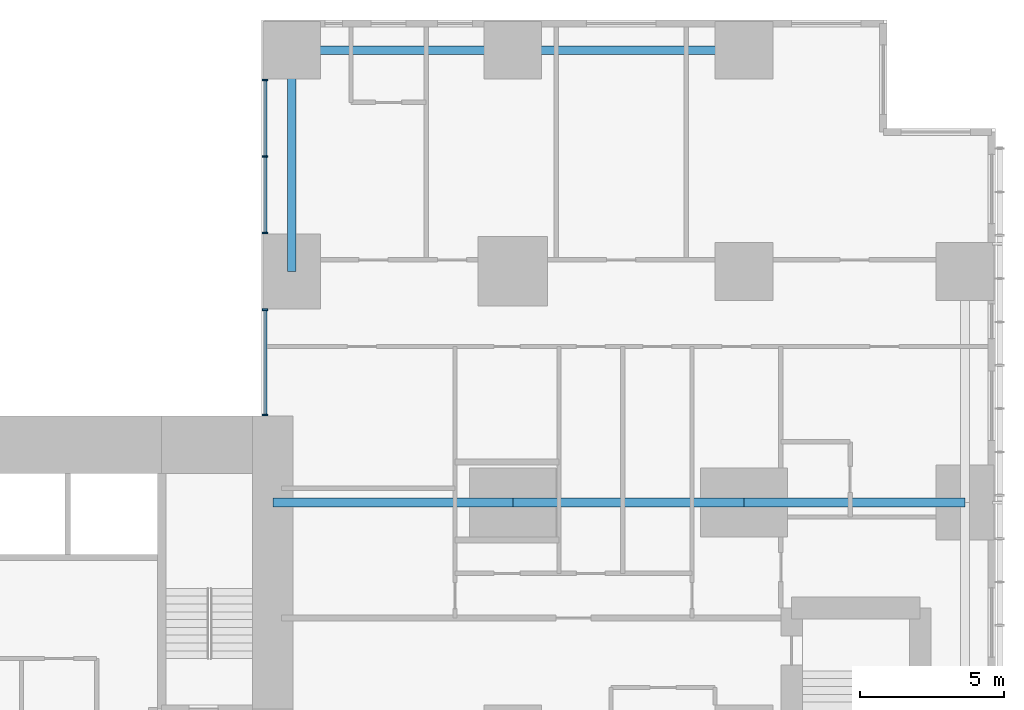
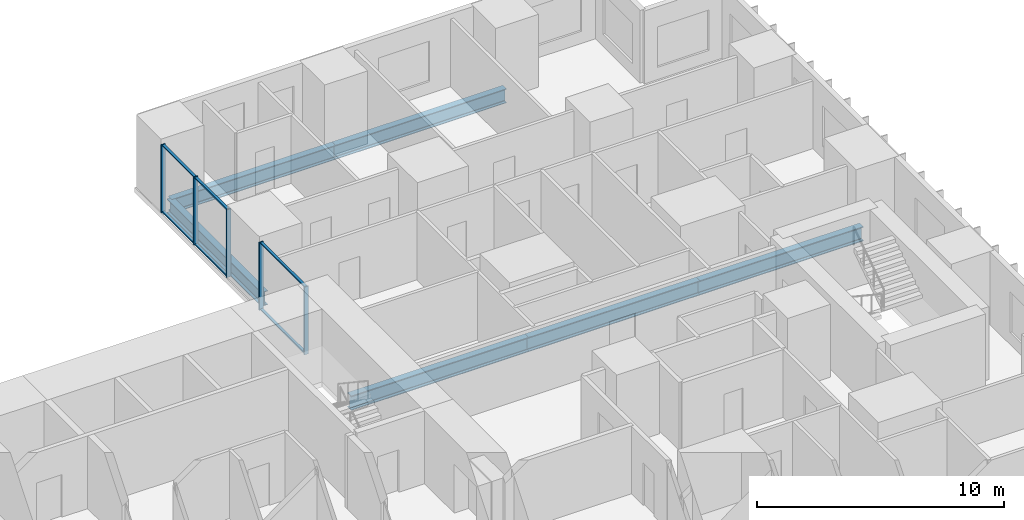
# One storey, part 5 of 20: 11 members, 6 beams, 2 elements without a shape of their own.
"""IFC4 building model written with IfcOpenShell, lengths in metres."""

from ifc_helpers import new_model, si_unit, direction, frame, origin, origin_2d, place, context, subcontext, project, spatial, rectangle, i_section, extrude, material, layer, layer_set, material_profile, profile_set, type_object, element, aggregate, save


model = new_model("IFC4")

# Units and contexts
model_context = context("Model", 3, precision=1e-05, world=origin(), true_north=direction((0.0, 1.0)))
body_context = subcontext(model_context, "Body", "Model", "MODEL_VIEW")
ifc_project = project(units=[si_unit("LENGTHUNIT", "METRE"), si_unit("AREAUNIT", "SQUARE_METRE"), si_unit("VOLUMEUNIT", "CUBIC_METRE"), si_unit("PLANEANGLEUNIT", "RADIAN"), si_unit("MASSUNIT", "GRAM", prefix="KILO")], contexts=[model_context])

# Site, building, storey
site_placement = place(None, origin())
site = spatial("IfcSite", under=ifc_project, at=site_placement, CompositionType="ELEMENT")
building_placement = place(site_placement, origin())
building = spatial("IfcBuilding", under=site, at=building_placement, Name="Cleftline Residences", CompositionType="ELEMENT")
storey_placement = place(building_placement, frame((0.0, 0.0, 72.800048828125)))
storey = spatial("IfcBuildingStorey", under=building, at=storey_placement, Name="L18", CompositionType="ELEMENT", Elevation=72.800048828125)

# Beams
ifc_material_1 = material(Name="Steel S355", Category="steel")
ifc_material_profile_1 = material_profile(ifc_material_1, i_section(OverallWidth=0.300048828125, OverallDepth=0.699951171875, WebThickness=0.01708984375, FlangeThickness=0.031982421875, FilletRadius=0.027099609375, at=origin_2d()))
ifc_profile_set_1 = profile_set([ifc_material_profile_1], Name="Steel S355")
beam_type_1 = type_object("IfcBeamType", Name="BEAM HEB 700", PredefinedType="BEAM", material=ifc_profile_set_1)
beam_1_placement = place(storey_placement, frame((58.0, 47.64990234375, -0.60009765625), z_axis=(-1.0, 0.0, 0.0), x_axis=(0.0, -1.0, 0.0)))
element("IfcBeam", 1, at=beam_1_placement, inside=storey, type_object=beam_type_1, Name="Edge beam", PredefinedType="BEAM", context=body_context, shape_type="SweptSolid", body=[
    extrude(i_section(OverallWidth=0.300048828125, OverallDepth=0.699951171875, WebThickness=0.01708984375, FlangeThickness=0.031982421875, FilletRadius=0.027099609375, at=origin_2d()), origin(), (0.0, 0.0, 1.0), 8.0),
])
for number, where, z_axis, x_axis, name in (
    (2, (50.0, 47.64990234375, -0.60009765625), (-1.0, 0.0, 0.0), (0.0, -1.0, 0.0), "Edge beam"),
    (3, (42.35009765625, 47.64990234375, -0.60009765625), (0.0, -1.0, 0.0), (1.0, 0.0, 0.0), "Edge beam"),
):
    element("IfcBeam", number, at=place(storey_placement, frame(where, z_axis=z_axis, x_axis=x_axis)), inside=storey, type_object=beam_type_1, Name=name, PredefinedType="BEAM", context=body_context, shape_type="SweptSolid", body=[
        extrude(i_section(OverallWidth=0.300048828125, OverallDepth=0.699951171875, WebThickness=0.01708984375, FlangeThickness=0.031982421875, FilletRadius=0.027099609375, at=origin_2d()), origin(), (0.0, 0.0, 1.0), 7.64990234375),
    ])
ifc_material_2 = material(Name="Steel S355", Category="steel")
ifc_material_profile_2 = material_profile(ifc_material_2, i_section(OverallWidth=0.303955078125, OverallDepth=0.716064453125, WebThickness=0.02099609375, FlangeThickness=0.0400390625, FilletRadius=0.027099609375, at=origin_2d()))
ifc_profile_set_2 = profile_set([ifc_material_profile_2], Name="Steel S355")
beam_type_2 = type_object("IfcBeamType", Name="BEAM HEM 700", PredefinedType="BEAM", material=ifc_profile_set_2)
beam_2_placement = place(storey_placement, frame((65.64990234375, 32.0, -0.608154296875), z_axis=(-1.0, 0.0, 0.0), x_axis=(0.0, -1.0, 0.0)))
element("IfcBeam", 4, at=beam_2_placement, inside=storey, type_object=beam_type_2, Name="Band beam", PredefinedType="BEAM", context=body_context, shape_type="SweptSolid", body=[
    extrude(i_section(OverallWidth=0.303955078125, OverallDepth=0.716064453125, WebThickness=0.02099609375, FlangeThickness=0.0400390625, FilletRadius=0.027099609375, at=origin_2d()), origin(), (0.0, 0.0, 1.0), 7.64990234375),
])
beam_3_placement = place(storey_placement, frame((58.0, 32.0, -0.608154296875), z_axis=(-1.0, 0.0, 0.0), x_axis=(0.0, -1.0, 0.0)))
element("IfcBeam", 5, at=beam_3_placement, inside=storey, type_object=beam_type_2, Name="Band beam", PredefinedType="BEAM", context=body_context, shape_type="SweptSolid", body=[
    extrude(i_section(OverallWidth=0.303955078125, OverallDepth=0.716064453125, WebThickness=0.02099609375, FlangeThickness=0.0400390625, FilletRadius=0.027099609375, at=origin_2d()), origin(), (0.0, 0.0, 1.0), 8.0),
])
beam_4_placement = place(storey_placement, frame((50.0, 32.0, -0.608154296875), z_axis=(-1.0, 0.0, 0.0), x_axis=(0.0, -1.0, 0.0)))
element("IfcBeam", 6, at=beam_4_placement, inside=storey, type_object=beam_type_2, Name="Band beam", PredefinedType="BEAM", context=body_context, shape_type="SweptSolid", body=[
    extrude(i_section(OverallWidth=0.303955078125, OverallDepth=0.716064453125, WebThickness=0.02099609375, FlangeThickness=0.0400390625, FilletRadius=0.027099609375, at=origin_2d()), origin(), (0.0, 0.0, 1.0), 8.300048828125),
])

# Curtain wall, members
ifc_material_3 = material(Name="Aluminium framed curtain wall", Category="aluminium")
ifc_layer = layer(ifc_material_3, 0.199951171875)
ifc_layer_set = layer_set([ifc_layer], Name="CW1 CLEFT GLAZING")
curtain_wall_type = type_object("IfcCurtainWallType", Name="CW1 CLEFT GLAZING", PredefinedType="NOTDEFINED", material=ifc_layer_set)
curtain_wall_1_placement = place(storey_placement, origin())
curtain_wall_1 = element("IfcCurtainWall", 7, at=curtain_wall_1_placement, inside=storey, type_object=curtain_wall_type, Name="Curtain wall CW1", PredefinedType="NOTDEFINED")
ifc_material_4 = material(Name="Aluminium mullion", Category="aluminium")
ifc_material_profile_3 = material_profile(ifc_material_4, rectangle(XDim=0.199951171875, YDim=0.06005859375, at=origin_2d()))
ifc_profile_set_3 = profile_set([ifc_material_profile_3], Name="Aluminium mullion")
member_type_1 = type_object("IfcMemberType", Name="CW1 MULLION", PredefinedType="MULLION", material=ifc_profile_set_3)
member_1_placement = place(storey_placement, frame((41.425048828125, 46.6201171875, 0.0), z_axis=(0.0, 0.0, 1.0), x_axis=(1.0, 0.0, 0.0)))
member_1 = element("IfcMember", 8, at=member_1_placement, type_object=member_type_1, Name="CW1 mullion 1", PredefinedType="MULLION", context=body_context, shape_type="SweptSolid", body=[
    extrude(rectangle(XDim=0.199951171875, YDim=0.06005859375, at=origin_2d()), origin(), (0.0, 0.0, 1.0), 3.349853515625),
])
member_2_placement = place(storey_placement, frame((41.425048828125, 43.97509765625, 0.0), z_axis=(0.0, 0.0, 1.0), x_axis=(1.0, 0.0, 0.0)))
member_2 = element("IfcMember", 9, at=member_2_placement, type_object=member_type_1, Name="CW1 mullion 2", PredefinedType="MULLION", context=body_context, shape_type="SweptSolid", body=[
    extrude(rectangle(XDim=0.199951171875, YDim=0.06005859375, at=origin_2d()), origin(), (0.0, 0.0, 1.0), 3.349853515625),
])
member_3_placement = place(storey_placement, frame((41.425048828125, 41.330078125, 0.0), z_axis=(0.0, 0.0, 1.0), x_axis=(1.0, 0.0, 0.0)))
member_3 = element("IfcMember", 10, at=member_3_placement, type_object=member_type_1, Name="CW1 mullion 3", PredefinedType="MULLION", context=body_context, shape_type="SweptSolid", body=[
    extrude(rectangle(XDim=0.199951171875, YDim=0.06005859375, at=origin_2d()), origin(), (0.0, 0.0, 1.0), 3.349853515625),
])

curtain_wall_2_placement = place(storey_placement, origin())
curtain_wall_2 = element("IfcCurtainWall", 11, at=curtain_wall_2_placement, inside=storey, type_object=curtain_wall_type, Name="Curtain wall CW1", PredefinedType="NOTDEFINED")
member_4_placement = place(storey_placement, frame((41.425048828125, 38.669921875, 0.0), z_axis=(0.0, 0.0, 1.0), x_axis=(1.0, 0.0, 0.0)))
member_4 = element("IfcMember", 12, at=member_4_placement, type_object=member_type_1, Name="CW1 mullion 1", PredefinedType="MULLION", context=body_context, shape_type="SweptSolid", body=[
    extrude(rectangle(XDim=0.199951171875, YDim=0.06005859375, at=origin_2d()), origin(), (0.0, 0.0, 1.0), 3.349853515625),
])
member_5_placement = place(storey_placement, frame((41.425048828125, 35.030029296875, 0.0), z_axis=(0.0, 0.0, 1.0), x_axis=(1.0, 0.0, 0.0)))
member_5 = element("IfcMember", 13, at=member_5_placement, type_object=member_type_1, Name="CW1 mullion 2", PredefinedType="MULLION", context=body_context, shape_type="SweptSolid", body=[
    extrude(rectangle(XDim=0.199951171875, YDim=0.06005859375, at=origin_2d()), origin(), (0.0, 0.0, 1.0), 3.349853515625),
])

# Member
ifc_material_5 = material(Name="Aluminium transom", Category="aluminium")
ifc_material_profile_4 = material_profile(ifc_material_5, rectangle(XDim=0.1201171875, YDim=0.06005859375, at=origin_2d()))
ifc_profile_set_4 = profile_set([ifc_material_profile_4], Name="Aluminium transom")
member_type_2 = type_object("IfcMemberType", Name="CW1 TRANSOM", PredefinedType="USERDEFINED", material=ifc_profile_set_4)
member_6_placement = place(storey_placement, frame((41.425048828125, 46.590087890625, 0.030029296875), z_axis=(0.0, -1.0, 0.0), x_axis=(1.0, 0.0, 0.0)))
member_6 = element("IfcMember", 14, at=member_6_placement, type_object=member_type_2, Name="CW1 transom 1.1", ObjectType="TRANSOM", PredefinedType="USERDEFINED", context=body_context, shape_type="SweptSolid", body=[
    extrude(rectangle(XDim=0.1201171875, YDim=0.06005859375, at=origin_2d()), origin(), (0.0, 0.0, 1.0), 2.585205078125),
])

member_7_placement = place(storey_placement, frame((41.425048828125, 46.590087890625, 3.320068359375), z_axis=(0.0, -1.0, 0.0), x_axis=(1.0, 0.0, 0.0)))
member_7 = element("IfcMember", 15, at=member_7_placement, type_object=member_type_2, Name="CW1 transom 1.2", ObjectType="TRANSOM", PredefinedType="USERDEFINED", context=body_context, shape_type="SweptSolid", body=[
    extrude(rectangle(XDim=0.1201171875, YDim=0.06005859375, at=origin_2d()), origin(), (0.0, 0.0, 1.0), 2.585205078125),
])

member_8_placement = place(storey_placement, frame((41.425048828125, 43.945068359375, 0.030029296875), z_axis=(0.0, -1.0, 0.0), x_axis=(1.0, 0.0, 0.0)))
member_8 = element("IfcMember", 16, at=member_8_placement, type_object=member_type_2, Name="CW1 transom 2.1", ObjectType="TRANSOM", PredefinedType="USERDEFINED", context=body_context, shape_type="SweptSolid", body=[
    extrude(rectangle(XDim=0.1201171875, YDim=0.06005859375, at=origin_2d()), origin(), (0.0, 0.0, 1.0), 2.5849609375),
])

member_9_placement = place(storey_placement, frame((41.425048828125, 43.945068359375, 3.320068359375), z_axis=(0.0, -1.0, 0.0), x_axis=(1.0, 0.0, 0.0)))
member_9 = element("IfcMember", 17, at=member_9_placement, type_object=member_type_2, Name="CW1 transom 2.2", ObjectType="TRANSOM", PredefinedType="USERDEFINED", context=body_context, shape_type="SweptSolid", body=[
    extrude(rectangle(XDim=0.1201171875, YDim=0.06005859375, at=origin_2d()), origin(), (0.0, 0.0, 1.0), 2.5849609375),
])

aggregate(curtain_wall_1, [member_1, member_2, member_3, member_6, member_7, member_8, member_9])

member_10_placement = place(storey_placement, frame((41.425048828125, 38.639892578125, 0.030029296875), z_axis=(0.0, -1.0, 0.0), x_axis=(1.0, 0.0, 0.0)))
member_10 = element("IfcMember", 18, at=member_10_placement, type_object=member_type_2, Name="CW1 transom 1.1", ObjectType="TRANSOM", PredefinedType="USERDEFINED", context=body_context, shape_type="SweptSolid", body=[
    extrude(rectangle(XDim=0.1201171875, YDim=0.06005859375, at=origin_2d()), origin(), (0.0, 0.0, 1.0), 3.579833984375),
])

member_11_placement = place(storey_placement, frame((41.425048828125, 38.639892578125, 3.320068359375), z_axis=(0.0, -1.0, 0.0), x_axis=(1.0, 0.0, 0.0)))
member_11 = element("IfcMember", 19, at=member_11_placement, type_object=member_type_2, Name="CW1 transom 1.2", ObjectType="TRANSOM", PredefinedType="USERDEFINED", context=body_context, shape_type="SweptSolid", body=[
    extrude(rectangle(XDim=0.1201171875, YDim=0.06005859375, at=origin_2d()), origin(), (0.0, 0.0, 1.0), 3.579833984375),
])

aggregate(curtain_wall_2, [member_4, member_5, member_10, member_11])

save(model, "model.ifc")
